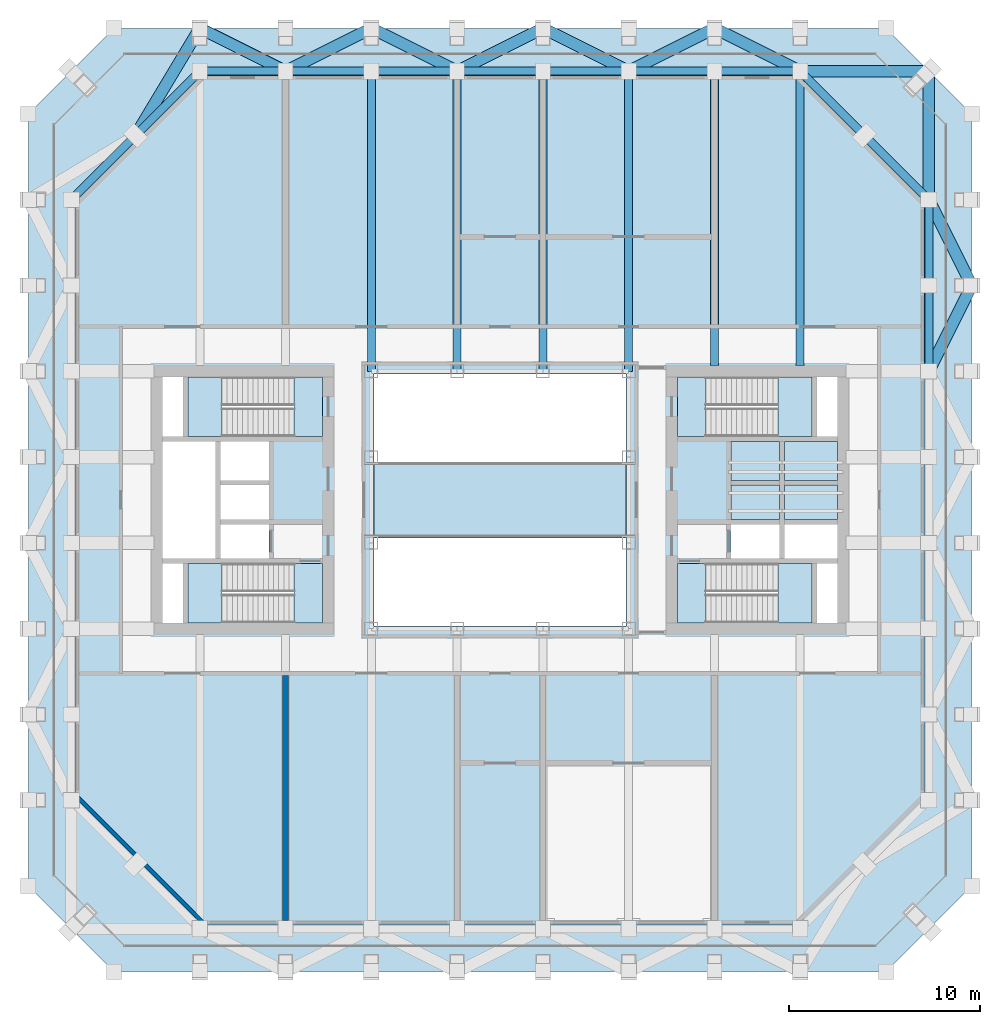
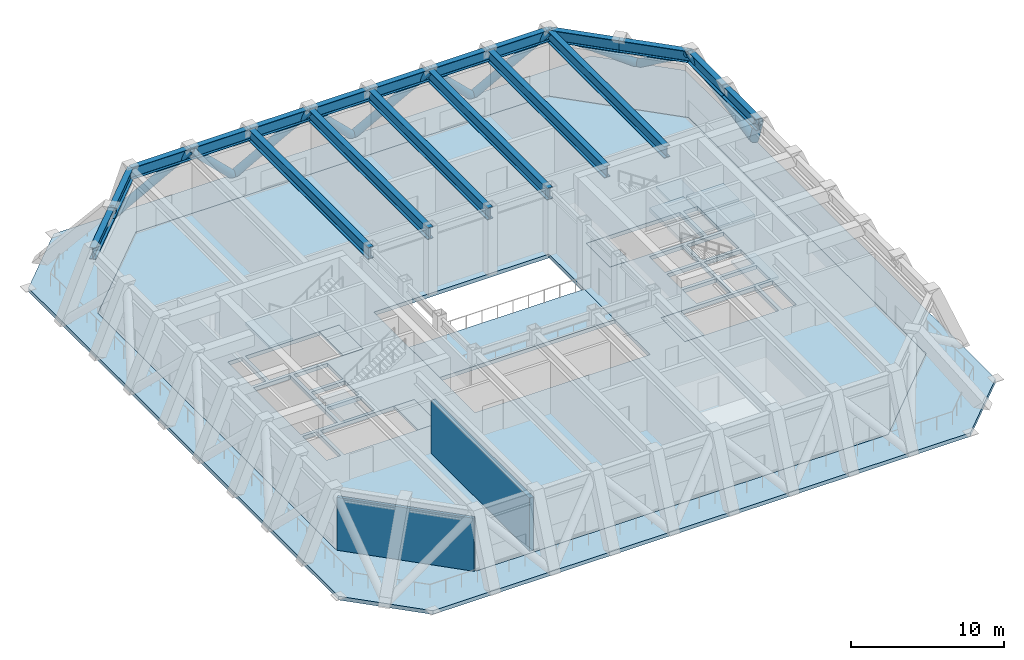
# One storey, part 2 of 9: 19 beams, 15 slabs, 12 members, 2 walls, 4 elements without a shape of their own.
"""IFC4 building model written with IfcOpenShell, lengths in metres."""

import ifcopenshell
import ifcopenshell.guid

model = None  # the IFC model being written
_history = None  # IfcOwnerHistory: only IFC2X3 demands one
_inside = {}  # id of a spatial element -> (the spatial element, [elements in it])
_under = {}  # id of a project, library or spatial element -> (it, [spatial elements below it])
_declared = {}  # id of a project -> (the project, [libraries it declares])
_typed = {}  # id of a type object -> (the type object, [elements of that type])
_made_of = {}  # id of a material, layer set ... -> (it, [elements and type objects made of it])


def new_model(schema):
    """Start an empty IFC model of exactly this schema.

    Asked for "IFC4X3", IfcOpenShell would pick the latest addendum, in which some entities
    have other attributes; the version numbers below select the first issue.
    IFC2X3 requires an IfcOwnerHistory on every rooted entity: one is made here for all.
    """
    global model, _history
    if schema == "IFC4X3":
        model = ifcopenshell.file(schema_version=(4, 3, 0, 0))
    else:
        model = ifcopenshell.file(schema=schema)
    _inside.clear()
    _under.clear()
    _declared.clear()
    _typed.clear()
    _made_of.clear()
    _history = None
    if model.schema == "IFC2X3":
        org = make("IfcOrganization", Name="unknown")
        user = make(
            "IfcPersonAndOrganization",
            ThePerson=make("IfcPerson", FamilyName="unknown"),
            TheOrganization=org,
        )
        app = make(
            "IfcApplication",
            ApplicationDeveloper=org,
            Version="unknown",
            ApplicationFullName="unknown",
            ApplicationIdentifier="unknown",
        )
        _history = make(
            "IfcOwnerHistory",
            OwningUser=user,
            OwningApplication=app,
            ChangeAction="ADDED",
            CreationDate=0,
        )
    return model


def make(cls, **values):
    """One entity of the class cls with the attributes given. An attribute that is None is left unset."""
    return model.create_entity(
        cls, **{name: value for name, value in values.items() if value is not None}
    )


def rooted(cls, **values):
    """An entity with a GlobalId (a new one), such as an element, a storey or a relation."""
    return make(cls, GlobalId=ifcopenshell.guid.new(), OwnerHistory=_history, **values)


def si_unit(unit_type, name, prefix=None):
    """IfcSIUnit, for example si_unit("LENGTHUNIT", "METRE", prefix="MILLI")."""
    return make("IfcSIUnit", UnitType=unit_type, Prefix=prefix, Name=name)


def assignment(units):
    """IfcUnitAssignment: the units of a project."""
    return None if units is None else make("IfcUnitAssignment", Units=units)


def point(xyz):
    """IfcCartesianPoint."""
    return None if xyz is None else make("IfcCartesianPoint", Coordinates=xyz)


def direction(xyz):
    """IfcDirection."""
    return None if xyz is None else make("IfcDirection", DirectionRatios=xyz)


def frame(location, z_axis=None, x_axis=None):
    """IfcAxis2Placement3D, a coordinate frame: its origin and axes. An axis left out is left unset."""
    return make(
        "IfcAxis2Placement3D",
        Location=point(location),
        Axis=direction(z_axis),
        RefDirection=direction(x_axis),
    )


def frame_2d(location, x_axis=None):
    """IfcAxis2Placement2D, a coordinate frame in the plane: its origin and x axis."""
    return make(
        "IfcAxis2Placement2D", Location=point(location), RefDirection=direction(x_axis)
    )


def origin():
    """The frame at (0, 0, 0) with its axes left unset."""
    return frame((0.0, 0.0, 0.0))


def origin_2d():
    """The frame at (0, 0) in the plane with its x axis left unset."""
    return frame_2d((0.0, 0.0))


def place(relative_to, where):
    """IfcLocalPlacement: puts the frame where relative to a parent placement (None: the world)."""
    return make(
        "IfcLocalPlacement", PlacementRelTo=relative_to, RelativePlacement=where
    )


def context(
    kind, dimensions, precision=None, world=None, true_north=None, identifier=None
):
    """IfcGeometricRepresentationContext, for example the 3D "Model" context."""
    return make(
        "IfcGeometricRepresentationContext",
        ContextIdentifier=identifier,
        ContextType=kind,
        CoordinateSpaceDimension=dimensions,
        Precision=precision,
        WorldCoordinateSystem=world,
        TrueNorth=true_north,
    )


def subcontext(parent, identifier, kind, view, scale=None):
    """IfcGeometricRepresentationSubContext, for example "Body" below "Model"."""
    return make(
        "IfcGeometricRepresentationSubContext",
        ContextIdentifier=identifier,
        ContextType=kind,
        ParentContext=parent,
        TargetScale=scale,
        TargetView=view,
    )


def project(units=None, contexts=None):
    """IfcProject with its units and contexts."""
    return rooted(
        "IfcProject",
        Name="project",
        RepresentationContexts=contexts,
        UnitsInContext=assignment(units),
    )


def spatial(cls, under=None, at=None, **own):
    """A site, building, storey or space (cls), placed at a placement, below another one or the project."""
    s = rooted(cls, ObjectPlacement=at, **own)
    if under is not None:
        _under.setdefault(under.id(), (under, []))[1].append(s)
    return s


def polyline(points):
    """IfcPolyline through the points."""
    return make("IfcPolyline", Points=[point(p) for p in points])


def profile(cls, at=None, kind="AREA", **sizes):
    """A parametric profile (cls). Its sizes go by their IFC names, for example OverallWidth=200.0."""
    return make(cls, ProfileType=kind, Position=at, **sizes)


def rectangle(**sizes):
    """IfcRectangleProfileDef."""
    return profile("IfcRectangleProfileDef", **sizes)


def hollow_circle(**sizes):
    """IfcCircleHollowProfileDef."""
    return profile("IfcCircleHollowProfileDef", **sizes)


def i_section(**sizes):
    """IfcIShapeProfileDef."""
    return profile("IfcIShapeProfileDef", **sizes)


def outline(outer, holes=None, kind="AREA"):
    """IfcArbitraryClosedProfileDef: a profile drawn as a closed curve; with holes, ...WithVoids."""
    if holes is None:
        return make("IfcArbitraryClosedProfileDef", ProfileType=kind, OuterCurve=outer)
    return make(
        "IfcArbitraryProfileDefWithVoids",
        ProfileType=kind,
        OuterCurve=outer,
        InnerCurves=holes,
    )


def extrude(swept, where, along, depth):
    """IfcExtrudedAreaSolid: the profile swept, set in the frame where, extruded along a direction by depth."""
    return make(
        "IfcExtrudedAreaSolid",
        SweptArea=swept,
        Position=where,
        ExtrudedDirection=direction(along),
        Depth=depth,
    )


def shape(context_of_items, identifier, shape_type, items):
    """IfcShapeRepresentation: the items that make up one representation, for example the "Body"."""
    return make(
        "IfcShapeRepresentation",
        ContextOfItems=context_of_items,
        RepresentationIdentifier=identifier,
        RepresentationType=shape_type,
        Items=items,
    )


def material(Name=None, Category=None):
    """IfcMaterial."""
    return make("IfcMaterial", Name=Name, Category=Category)


def layer(
    of_material, thickness, ventilated=None, Name=None, Category=None, Priority=None
):
    """IfcMaterialLayer: one layer of a wall or slab, of a material (None: an air gap)."""
    return make(
        "IfcMaterialLayer",
        Material=of_material,
        LayerThickness=thickness,
        IsVentilated=ventilated,
        Name=Name,
        Category=Category,
        Priority=Priority,
    )


def layer_set(layers, Name=None):
    """IfcMaterialLayerSet."""
    return make("IfcMaterialLayerSet", MaterialLayers=layers, LayerSetName=Name)


def material_profile(
    of_material, cross_section, Name=None, Category=None, Priority=None
):
    """IfcMaterialProfile: a cross section and its material."""
    return make(
        "IfcMaterialProfile",
        Name=Name,
        Material=of_material,
        Profile=cross_section,
        Priority=Priority,
        Category=Category,
    )


def profile_set(profiles, Name=None, composite=None):
    """IfcMaterialProfileSet."""
    return make(
        "IfcMaterialProfileSet",
        Name=Name,
        MaterialProfiles=profiles,
        CompositeProfile=composite,
    )


def made_of(thing, what):
    """Note that an element or type object is made of a material, layer set ...; save() writes the relation."""
    if what is not None:
        _made_of.setdefault(what.id(), (what, []))[1].append(thing)
    return thing


def type_object(cls, material=None, **own):
    """A type object (cls), such as IfcWallType, which elements share."""
    return made_of(rooted(cls, **own), material)


def element(
    cls,
    number,
    at=None,
    inside=None,
    cuts=None,
    type_object=None,
    material=None,
    context=None,
    identifier="Body",
    shape_type=None,
    held_by="IfcProductDefinitionShape",
    body=None,
    shapes=None,
    **own,
):
    """One element of the class cls, such as IfcWall. Its Tag is "e" and its number.

    at: its placement. inside: the storey or other place that contains it. cuts: it is an
    opening in that element (IfcRelVoidsElement). A single representation is given by context,
    identifier, shape_type and body (its items); several are given by shapes. held_by: the class
    of the entity that holds the representations. save() writes the other relations.
    """
    e = rooted(cls, Tag="e%d" % number, ObjectPlacement=at, **own)
    if body is not None:
        shapes = [shape(context, identifier, shape_type, body)]
    if shapes is not None:
        e.Representation = make(held_by, Representations=shapes)
    if inside is not None:
        _inside.setdefault(inside.id(), (inside, []))[1].append(e)
    if cuts is not None:
        rooted(
            "IfcRelVoidsElement", RelatingBuildingElement=cuts, RelatedOpeningElement=e
        )
    if type_object is not None:
        _typed.setdefault(type_object.id(), (type_object, []))[1].append(e)
    return made_of(e, material)


def aggregate(whole, parts):
    """IfcRelAggregates: a whole, such as a stair, and the parts it consists of."""
    return rooted("IfcRelAggregates", RelatingObject=whole, RelatedObjects=parts)


def save(model, path):
    """Write the relations noted so far, then the file.

    IfcRelAggregates (storeys below a building ...), IfcRelContainedInSpatialStructure (elements
    in a storey), IfcRelDefinesByType, IfcRelAssociatesMaterial and IfcRelDeclares: one each for
    every whole, place, type object, material and project.
    """
    for whole, parts in _under.values():
        aggregate(whole, parts)
    for where, things in _inside.values():
        rooted(
            "IfcRelContainedInSpatialStructure",
            RelatedElements=things,
            RelatingStructure=where,
        )
    for kind, things in _typed.values():
        rooted("IfcRelDefinesByType", RelatedObjects=things, RelatingType=kind)
    for what, things in _made_of.values():
        rooted("IfcRelAssociatesMaterial", RelatedObjects=things, RelatingMaterial=what)
    for by, libraries in _declared.values():
        rooted("IfcRelDeclares", RelatingContext=by, RelatedDefinitions=libraries)
    model.write(path)


model = new_model("IFC4")

# Units and contexts
model_context = context("Model", 3, precision=1e-05, world=origin(), true_north=direction((0.0, 1.0)))
body_context = subcontext(model_context, "Body", "Model", "MODEL_VIEW")
ifc_project = project(units=[si_unit("LENGTHUNIT", "METRE"), si_unit("AREAUNIT", "SQUARE_METRE"), si_unit("VOLUMEUNIT", "CUBIC_METRE"), si_unit("PLANEANGLEUNIT", "RADIAN"), si_unit("MASSUNIT", "GRAM", prefix="KILO")], contexts=[model_context])

# Site, building, storey
site_placement = place(None, origin())
site = spatial("IfcSite", under=ifc_project, at=site_placement, CompositionType="ELEMENT")
building_placement = place(site_placement, origin())
building = spatial("IfcBuilding", under=site, at=building_placement, Name="Msasa Ring Tower", CompositionType="ELEMENT")
storey_placement = place(building_placement, frame((0.0, 0.0, 107.0)))
storey = spatial("IfcBuildingStorey", under=building, at=storey_placement, Name="L28", CompositionType="ELEMENT", Elevation=107.0)

# Members
ifc_material_1 = material(Name="Steel S355", Category="steel")
ifc_material_profile_1 = material_profile(ifc_material_1, hollow_circle(Radius=0.304931640625, WallThickness=0.050048828125, at=origin_2d()), Name="CHS 610x50")
ifc_profile_set_1 = profile_set([ifc_material_profile_1], Name="Steel S355")
member_type = type_object("IfcMemberType", Name="BR1 CHS 610x50", PredefinedType="BRACE", material=ifc_profile_set_1)
for number, where, z_axis, x_axis, name in (
    (1, (24.75, 11.25, 0.0), (-0.31912262164, -0.638245243281, 0.70057388032), (0.894427191, -0.4472135955, 0.0), "Belt brace E+6.75 L28"),
    (2, (24.75, 11.25, 0.0), (-0.31912262164, 0.638245243281, 0.70057388032), (-0.894427191, -0.4472135955, 0.0), "Belt brace E+11.25 L28"),
):
    element("IfcMember", number, at=place(storey_placement, frame(where, z_axis=z_axis, x_axis=x_axis)), inside=storey, type_object=member_type, Name=name, PredefinedType="BRACE", context=body_context, shape_type="SweptSolid", body=[
        extrude(hollow_circle(Radius=0.304931640625, WallThickness=0.050048828125, at=origin_2d()), origin(), (0.0, 0.0, 1.0), 7.050537109375),
    ])
for number, where, z_axis, x_axis, name in (
    (3, (22.5, 22.5, 0.0), (0.0, -0.807005897484, 0.590543378107), (1.0, 0.0, 0.0), "Belt brace E+15.75 L28"),
    (4, (22.5, 22.5, 0.0), (-0.807005897484, 0.0, 0.590543378107), (0.0, -1.0, 0.0), "Belt brace NE L28"),
):
    element("IfcMember", number, at=place(storey_placement, frame(where, z_axis=z_axis, x_axis=x_axis)), inside=storey, type_object=member_type, Name=name, PredefinedType="BRACE", context=body_context, shape_type="SweptSolid", body=[
        extrude(hollow_circle(Radius=0.304931640625, WallThickness=0.050048828125, at=origin_2d()), origin(), (0.0, 0.0, 1.0), 8.3642578125),
    ])
for number, where, z_axis, x_axis, name in (
    (5, (11.25, 24.75, 0.0), (0.638245243281, -0.31912262164, 0.70057388032), (0.4472135955, 0.894427191, 0.0), "Belt brace N+15.75 L28"),
    (6, (11.25, 24.75, 0.0), (-0.638245243281, -0.31912262164, 0.70057388032), (0.4472135955, -0.894427191, 0.0), "Belt brace N+11.25 L28"),
    (7, (2.25, 24.75, 0.0), (0.638245243281, -0.31912262164, 0.70057388032), (0.4472135955, 0.894427191, 0.0), "Belt brace N+6.75 L28"),
    (8, (2.25, 24.75, 0.0), (-0.638245243281, -0.31912262164, 0.70057388032), (0.4472135955, -0.894427191, 0.0), "Belt brace N+2.25 L28"),
    (9, (-6.75, 24.75, 0.0), (0.638245243281, -0.31912262164, 0.70057388032), (0.4472135955, 0.894427191, 0.0), "Belt brace N-2.25 L28"),
    (10, (-6.75, 24.75, 0.0), (-0.638245243281, -0.31912262164, 0.70057388032), (0.4472135955, -0.894427191, 0.0), "Belt brace N-6.75 L28"),
    (11, (-15.75, 24.75, 0.0), (0.638245243281, -0.31912262164, 0.70057388032), (0.4472135955, 0.894427191, 0.0), "Belt brace N-11.25 L28"),
):
    element("IfcMember", number, at=place(storey_placement, frame(where, z_axis=z_axis, x_axis=x_axis)), inside=storey, type_object=member_type, Name=name, PredefinedType="BRACE", context=body_context, shape_type="SweptSolid", body=[
        extrude(hollow_circle(Radius=0.304931640625, WallThickness=0.050048828125, at=origin_2d()), origin(), (0.0, 0.0, 1.0), 7.050537109375),
    ])
member_placement = place(storey_placement, frame((-15.75, 24.75, 0.0), z_axis=(-0.411006771984, -0.685011286641, 0.601525536081), x_axis=(0.857492925713, -0.514495755428, 0.0)))
element("IfcMember", 12, at=member_placement, inside=storey, type_object=member_type, Name="Belt brace N-15.75 L28", PredefinedType="BRACE", context=body_context, shape_type="SweptSolid", body=[
    extrude(hollow_circle(Radius=0.304931640625, WallThickness=0.050048828125, at=origin_2d()), origin(), (0.0, 0.0, 1.0), 8.21142578125),
])

# Beams
ifc_material_2 = material(Name="Steel S355", Category="steel")
ifc_material_profile_2 = material_profile(ifc_material_2, i_section(OverallWidth=0.42041015625, OverallDepth=0.9208984375, WebThickness=0.021484375, FlangeThickness=0.03662109375, FilletRadius=0.024169921875, at=origin_2d()), Name="UB 914x419x388")
ifc_profile_set_2 = profile_set([ifc_material_profile_2], Name="Steel S355")
beam_type_1 = type_object("IfcBeamType", Name="FB2 UB 914x419x388", PredefinedType="BEAM", material=ifc_profile_set_2)
for number, where, z_axis, x_axis, name in (
    (13, (-6.75, 22.5, 4.689453125), (0.0, -1.0, 0.0), (1.0, 0.0, 0.0), "Floor beam N-6.75 under L29"),
    (14, (-2.25, 22.5, 4.689453125), (0.0, -1.0, 0.0), (1.0, 0.0, 0.0), "Floor beam N-2.25 under L29"),
    (15, (2.25, 22.5, 4.689453125), (0.0, -1.0, 0.0), (1.0, 0.0, 0.0), "Floor beam N+2.25 under L29"),
    (16, (6.75, 22.5, 4.689453125), (0.0, -1.0, 0.0), (1.0, 0.0, 0.0), "Floor beam N+6.75 under L29"),
):
    element("IfcBeam", number, at=place(storey_placement, frame(where, z_axis=z_axis, x_axis=x_axis)), inside=storey, type_object=beam_type_1, Name=name, PredefinedType="BEAM", context=body_context, shape_type="SweptSolid", body=[
        extrude(i_section(OverallWidth=0.42041015625, OverallDepth=0.9208984375, WebThickness=0.021484375, FlangeThickness=0.03662109375, FilletRadius=0.024169921875, at=origin_2d()), origin(), (0.0, 0.0, 1.0), 15.75),
    ])
for number, where, z_axis, x_axis, name in (
    (17, (11.25, 22.5, 4.689453125), (0.0, -1.0, 0.0), (1.0, 0.0, 0.0), "Floor beam N+11.25 under L29"),
    (18, (15.75, 22.5, 4.689453125), (0.0, -1.0, 0.0), (1.0, 0.0, 0.0), "Floor beam N+15.75 under L29"),
):
    element("IfcBeam", number, at=place(storey_placement, frame(where, z_axis=z_axis, x_axis=x_axis)), inside=storey, type_object=beam_type_1, Name=name, PredefinedType="BEAM", context=body_context, shape_type="SweptSolid", body=[
        extrude(i_section(OverallWidth=0.42041015625, OverallDepth=0.9208984375, WebThickness=0.021484375, FlangeThickness=0.03662109375, FilletRadius=0.024169921875, at=origin_2d()), origin(), (0.0, 0.0, 1.0), 15.449951171875),
    ])
ifc_material_3 = material(Name="Steel S355", Category="steel")
ifc_material_profile_3 = material_profile(ifc_material_3, i_section(OverallWidth=0.42041015625, OverallDepth=0.9208984375, WebThickness=0.021484375, FlangeThickness=0.03662109375, FilletRadius=0.024169921875, at=origin_2d()), Name="UB 914x419x388")
ifc_profile_set_3 = profile_set([ifc_material_profile_3], Name="Steel S355")
beam_type_2 = type_object("IfcBeamType", Name="SB1 UB 914x419x388", PredefinedType="SPANDREL", material=ifc_profile_set_3)
for number, where, z_axis, x_axis, name in (
    (19, (22.5, 6.75, 4.689453125), (0.0, 1.0, 0.0), (-1.0, 0.0, 0.0), "Spandrel E+6.75 to E+11.25 under L29"),
    (20, (22.5, 11.25, 4.689453125), (0.0, 1.0, 0.0), (-1.0, 0.0, 0.0), "Spandrel E+11.25 to E+15.75 under L29"),
):
    element("IfcBeam", number, at=place(storey_placement, frame(where, z_axis=z_axis, x_axis=x_axis)), inside=storey, type_object=beam_type_2, Name=name, PredefinedType="SPANDREL", context=body_context, shape_type="SweptSolid", body=[
        extrude(i_section(OverallWidth=0.42041015625, OverallDepth=0.9208984375, WebThickness=0.021484375, FlangeThickness=0.03662109375, FilletRadius=0.024169921875, at=origin_2d()), origin(), (0.0, 0.0, 1.0), 4.5),
    ])
for number, where, z_axis, x_axis, name in (
    (21, (22.5, 15.75, 4.689453125), (-0.707106781187, 0.707106781187, 0.0), (-0.707106781187, -0.707106781187, 0.0), "Spandrel E+15.75 to NE under L29"),
    (22, (19.125, 19.125, 4.689453125), (-0.707106781187, 0.707106781187, 0.0), (-0.707106781187, -0.707106781187, 0.0), "Spandrel NE to N+15.75 under L29"),
):
    element("IfcBeam", number, at=place(storey_placement, frame(where, z_axis=z_axis, x_axis=x_axis)), inside=storey, type_object=beam_type_2, Name=name, PredefinedType="SPANDREL", context=body_context, shape_type="SweptSolid", body=[
        extrude(i_section(OverallWidth=0.42041015625, OverallDepth=0.9208984375, WebThickness=0.021484375, FlangeThickness=0.03662109375, FilletRadius=0.024169921875, at=origin_2d()), origin(), (0.0, 0.0, 1.0), 4.77294921875),
    ])
for number, where, z_axis, x_axis, name in (
    (23, (15.75, 22.5, 4.689453125), (-1.0, 0.0, 0.0), (0.0, -1.0, 0.0), "Spandrel N+15.75 to N+11.25 under L29"),
    (24, (11.25, 22.5, 4.689453125), (-1.0, 0.0, 0.0), (0.0, -1.0, 0.0), "Spandrel N+11.25 to N+6.75 under L29"),
    (25, (6.75, 22.5, 4.689453125), (-1.0, 0.0, 0.0), (0.0, -1.0, 0.0), "Spandrel N+6.75 to N+2.25 under L29"),
    (26, (2.25, 22.5, 4.689453125), (-1.0, 0.0, 0.0), (0.0, -1.0, 0.0), "Spandrel N+2.25 to N-2.25 under L29"),
    (27, (-2.25, 22.5, 4.689453125), (-1.0, 0.0, 0.0), (0.0, -1.0, 0.0), "Spandrel N-2.25 to N-6.75 under L29"),
    (28, (-6.75, 22.5, 4.689453125), (-1.0, 0.0, 0.0), (0.0, -1.0, 0.0), "Spandrel N-6.75 to N-11.25 under L29"),
    (29, (-11.25, 22.5, 4.689453125), (-1.0, 0.0, 0.0), (0.0, -1.0, 0.0), "Spandrel N-11.25 to N-15.75 under L29"),
):
    element("IfcBeam", number, at=place(storey_placement, frame(where, z_axis=z_axis, x_axis=x_axis)), inside=storey, type_object=beam_type_2, Name=name, PredefinedType="SPANDREL", context=body_context, shape_type="SweptSolid", body=[
        extrude(i_section(OverallWidth=0.42041015625, OverallDepth=0.9208984375, WebThickness=0.021484375, FlangeThickness=0.03662109375, FilletRadius=0.024169921875, at=origin_2d()), origin(), (0.0, 0.0, 1.0), 4.5),
    ])
for number, where, z_axis, x_axis, name in (
    (30, (-15.75, 22.5, 4.689453125), (-0.707106781187, -0.707106781187, 0.0), (0.707106781187, -0.707106781187, 0.0), "Spandrel N-15.75 to NW under L29"),
    (31, (-19.125, 19.125, 4.689453125), (-0.707106781187, -0.707106781187, 0.0), (0.707106781187, -0.707106781187, 0.0), "Spandrel NW to W+15.75 under L29"),
):
    element("IfcBeam", number, at=place(storey_placement, frame(where, z_axis=z_axis, x_axis=x_axis)), inside=storey, type_object=beam_type_2, Name=name, PredefinedType="SPANDREL", context=body_context, shape_type="SweptSolid", body=[
        extrude(i_section(OverallWidth=0.42041015625, OverallDepth=0.9208984375, WebThickness=0.021484375, FlangeThickness=0.03662109375, FilletRadius=0.024169921875, at=origin_2d()), origin(), (0.0, 0.0, 1.0), 4.77294921875),
    ])

# Slab
ifc_material_4 = material(Name="Concrete C40/50", Category="concrete")
ifc_layer_1 = layer(ifc_material_4, 0.300048828125)
ifc_layer_set_1 = layer_set([ifc_layer_1], Name="BS1 WELL BRIDGE 300")
slab_type_1 = type_object("IfcSlabType", Name="BS1 WELL BRIDGE 300", PredefinedType="FLOOR", material=ifc_layer_set_1)
slab_1_placement = place(storey_placement, frame((0.0, 0.0, -0.300048828125)))
element("IfcSlab", 32, at=slab_1_placement, inside=storey, type_object=slab_type_1, Name="Well bridge L28", PredefinedType="FLOOR", context=body_context, shape_type="SweptSolid", body=[
    extrude(outline(polyline([(-6.60009765625, -2.0), (6.60009765625, -2.0), (6.60009765625, 2.0), (-6.60009765625, 2.0), (-6.60009765625, -2.0)])), origin(), (0.0, 0.0, 1.0), 0.300048828125),
])

# Stair, slabs
ifc_material_5 = material(Name="Concrete C40/50", Category="concrete")
stair_type = type_object("IfcStairType", Name="STC CORE STAIR 30 RISERS 180", PredefinedType="HALF_TURN_STAIR", material=ifc_material_5)
stair_1_placement = place(storey_placement, origin())
stair_1 = element("IfcStair", 33, at=stair_1_placement, inside=storey, type_object=stair_type, Name="Core stair SEA L28", PredefinedType="HALF_TURN_STAIR")
ifc_material_6 = material(Name="Concrete C40/50", Category="concrete")
ifc_layer_2 = layer(ifc_material_6, 0.199951171875)
ifc_layer_set_2 = layer_set([ifc_layer_2], Name="LD1 CORE STAIR LANDING 200")
slab_type_2 = type_object("IfcSlabType", Name="LD1 CORE STAIR LANDING 200", PredefinedType="LANDING", material=ifc_layer_set_2)
slab_2_placement = place(storey_placement, frame((0.0, 0.0, -0.199951171875)))
slab_2 = element("IfcSlab", 34, at=slab_2_placement, type_object=slab_type_2, Name="SEA landing 1", PredefinedType="LANDING", context=body_context, shape_type="SweptSolid", body=[
    extrude(outline(polyline([(9.300048828125, -6.449951171875), (10.800048828125, -6.449951171875), (10.800048828125, -3.324951171875), (9.300048828125, -3.324951171875), (9.300048828125, -6.449951171875)])), origin(), (0.0, 0.0, 1.0), 0.199951171875),
])
slab_3_placement = place(storey_placement, frame((0.0, 0.0, 2.5)))
slab_3 = element("IfcSlab", 35, at=slab_3_placement, type_object=slab_type_2, Name="SEA landing 2", PredefinedType="LANDING", context=body_context, shape_type="SweptSolid", body=[
    extrude(outline(polyline([(14.580078125, -6.449951171875), (16.375, -6.449951171875), (16.375, -3.324951171875), (14.580078125, -3.324951171875), (14.580078125, -6.449951171875)])), origin(), (0.0, 0.0, 1.0), 0.199951171875),
])
aggregate(stair_1, [slab_2, slab_3])

stair_2_placement = place(storey_placement, origin())
stair_2 = element("IfcStair", 36, at=stair_2_placement, inside=storey, type_object=stair_type, Name="Core stair SEB L28", PredefinedType="HALF_TURN_STAIR")
slab_4_placement = place(storey_placement, frame((0.0, 0.0, -0.199951171875)))
slab_4 = element("IfcSlab", 37, at=slab_4_placement, type_object=slab_type_2, Name="SEB landing 1", PredefinedType="LANDING", context=body_context, shape_type="SweptSolid", body=[
    extrude(outline(polyline([(9.300048828125, 3.324951171875), (10.800048828125, 3.324951171875), (10.800048828125, 6.449951171875), (9.300048828125, 6.449951171875), (9.300048828125, 3.324951171875)])), origin(), (0.0, 0.0, 1.0), 0.199951171875),
])
slab_5_placement = place(storey_placement, frame((0.0, 0.0, 2.5)))
slab_5 = element("IfcSlab", 38, at=slab_5_placement, type_object=slab_type_2, Name="SEB landing 2", PredefinedType="LANDING", context=body_context, shape_type="SweptSolid", body=[
    extrude(outline(polyline([(14.580078125, 3.324951171875), (16.375, 3.324951171875), (16.375, 6.449951171875), (14.580078125, 6.449951171875), (14.580078125, 3.324951171875)])), origin(), (0.0, 0.0, 1.0), 0.199951171875),
])
aggregate(stair_2, [slab_4, slab_5])

stair_3_placement = place(storey_placement, origin())
stair_3 = element("IfcStair", 39, at=stair_3_placement, inside=storey, type_object=stair_type, Name="Core stair SWA L28", PredefinedType="HALF_TURN_STAIR")
slab_6_placement = place(storey_placement, frame((0.0, 0.0, -0.199951171875)))
slab_6 = element("IfcSlab", 40, at=slab_6_placement, type_object=slab_type_2, Name="SWA landing 1", PredefinedType="LANDING", context=body_context, shape_type="SweptSolid", body=[
    extrude(outline(polyline([(-10.800048828125, -6.449951171875), (-9.300048828125, -6.449951171875), (-9.300048828125, -3.324951171875), (-10.800048828125, -3.324951171875), (-10.800048828125, -6.449951171875)])), origin(), (0.0, 0.0, 1.0), 0.199951171875),
])
slab_7_placement = place(storey_placement, frame((0.0, 0.0, 2.5)))
slab_7 = element("IfcSlab", 41, at=slab_7_placement, type_object=slab_type_2, Name="SWA landing 2", PredefinedType="LANDING", context=body_context, shape_type="SweptSolid", body=[
    extrude(outline(polyline([(-16.375, -6.449951171875), (-14.580078125, -6.449951171875), (-14.580078125, -3.324951171875), (-16.375, -3.324951171875), (-16.375, -6.449951171875)])), origin(), (0.0, 0.0, 1.0), 0.199951171875),
])
aggregate(stair_3, [slab_6, slab_7])

stair_4_placement = place(storey_placement, origin())
stair_4 = element("IfcStair", 42, at=stair_4_placement, inside=storey, type_object=stair_type, Name="Core stair SWB L28", PredefinedType="HALF_TURN_STAIR")
slab_8_placement = place(storey_placement, frame((0.0, 0.0, -0.199951171875)))
slab_8 = element("IfcSlab", 43, at=slab_8_placement, type_object=slab_type_2, Name="SWB landing 1", PredefinedType="LANDING", context=body_context, shape_type="SweptSolid", body=[
    extrude(outline(polyline([(-10.800048828125, 3.324951171875), (-9.300048828125, 3.324951171875), (-9.300048828125, 6.449951171875), (-10.800048828125, 6.449951171875), (-10.800048828125, 3.324951171875)])), origin(), (0.0, 0.0, 1.0), 0.199951171875),
])
slab_9_placement = place(storey_placement, frame((0.0, 0.0, 2.5)))
slab_9 = element("IfcSlab", 44, at=slab_9_placement, type_object=slab_type_2, Name="SWB landing 2", PredefinedType="LANDING", context=body_context, shape_type="SweptSolid", body=[
    extrude(outline(polyline([(-16.375, 3.324951171875), (-14.580078125, 3.324951171875), (-14.580078125, 6.449951171875), (-16.375, 6.449951171875), (-16.375, 3.324951171875)])), origin(), (0.0, 0.0, 1.0), 0.199951171875),
])
aggregate(stair_4, [slab_8, slab_9])

# Slabs
ifc_material_7 = material(Name="Concrete C40/50", Category="concrete")
ifc_layer_3 = layer(ifc_material_7, 0.300048828125)
ifc_layer_set_3 = layer_set([ifc_layer_3], Name="R3 LIFT SHAFT ROOF 300")
slab_type_3 = type_object("IfcSlabType", Name="R3 LIFT SHAFT ROOF 300", PredefinedType="ROOF", material=ifc_layer_set_3)
slab_10_placement = place(storey_placement, frame((0.0, 0.0, 3.60009765625)))
element("IfcSlab", 45, at=slab_10_placement, inside=storey, type_object=slab_type_3, Name="Lift shaft roof slab east lift1 L28", PredefinedType="ROOF", context=body_context, shape_type="SweptSolid", body=[
    extrude(outline(polyline([(12.125, -1.02490234375), (14.675048828125, -1.02490234375), (14.675048828125, 0.77490234375), (12.125, 0.77490234375), (12.125, -1.02490234375)])), origin(), (0.0, 0.0, 1.0), 0.2998046875),
])
slab_11_placement = place(storey_placement, frame((0.0, 0.0, 3.60009765625)))
element("IfcSlab", 46, at=slab_11_placement, inside=storey, type_object=slab_type_3, Name="Lift shaft roof slab east lift2 L28", PredefinedType="ROOF", context=body_context, shape_type="SweptSolid", body=[
    extrude(outline(polyline([(12.125, 1.02490234375), (14.675048828125, 1.02490234375), (14.675048828125, 3.074951171875), (12.125, 3.074951171875), (12.125, 1.02490234375)])), origin(), (0.0, 0.0, 1.0), 0.2998046875),
])
ifc_material_8 = material(Name="Concrete C40/50", Category="concrete")
ifc_layer_4 = layer(ifc_material_8, 0.300048828125)
ifc_layer_set_4 = layer_set([ifc_layer_4], Name="S11 LIFT PIT FLOOR 300")
slab_type_4 = type_object("IfcSlabType", Name="S11 LIFT PIT FLOOR 300", PredefinedType="FLOOR", material=ifc_layer_set_4)
slab_12_placement = place(storey_placement, frame((0.0, 0.0, 3.60009765625)))
element("IfcSlab", 47, at=slab_12_placement, inside=storey, type_object=slab_type_4, Name="Lift pit floor east hlift1 L28", PredefinedType="FLOOR", context=body_context, shape_type="SweptSolid", body=[
    extrude(outline(polyline([(14.925048828125, -1.02490234375), (17.699951171875, -1.02490234375), (17.699951171875, 0.77490234375), (14.925048828125, 0.77490234375), (14.925048828125, -1.02490234375)])), origin(), (0.0, 0.0, 1.0), 0.2998046875),
])
slab_13_placement = place(storey_placement, frame((0.0, 0.0, 3.60009765625)))
element("IfcSlab", 48, at=slab_13_placement, inside=storey, type_object=slab_type_4, Name="Lift pit floor east hlift2 L28", PredefinedType="FLOOR", context=body_context, shape_type="SweptSolid", body=[
    extrude(outline(polyline([(14.925048828125, 1.02490234375), (17.699951171875, 1.02490234375), (17.699951171875, 3.074951171875), (14.925048828125, 3.074951171875), (14.925048828125, 1.02490234375)])), origin(), (0.0, 0.0, 1.0), 0.2998046875),
])
ifc_material_9 = material(Name="Concrete C40/50", Category="concrete")
ifc_layer_5 = layer(ifc_material_9, 0.300048828125)
ifc_layer_set_5 = layer_set([ifc_layer_5], Name="S5 PLANT FLOOR 300")
slab_type_5 = type_object("IfcSlabType", Name="S5 PLANT FLOOR 300", PredefinedType="FLOOR", material=ifc_layer_set_5)
slab_14_placement = place(storey_placement, frame((0.0, 0.0, -0.300048828125)))
element("IfcSlab", 49, at=slab_14_placement, inside=storey, type_object=slab_type_5, Name="Plant floor slab L28", PredefinedType="FLOOR", context=body_context, shape_type="SweptSolid", body=[
    extrude(outline(polyline([(-15.5, -22.25), (15.5, -22.25), (22.25, -15.5), (22.25, 15.5), (15.5, 22.25), (-15.5, 22.25), (-22.25, 15.5), (-22.25, -15.5), (-15.5, -22.25)]), holes=[polyline([(-6.60009765625, -6.60009765625), (6.60009765625, -6.60009765625), (6.60009765625, 6.60009765625), (-6.60009765625, 6.60009765625), (-6.60009765625, -6.60009765625)]), polyline([(9.300048828125, -6.449951171875), (16.375, -6.449951171875), (16.375, -3.324951171875), (9.300048828125, -3.324951171875), (9.300048828125, -6.449951171875)]), polyline([(9.300048828125, 3.324951171875), (16.375, 3.324951171875), (16.375, 6.449951171875), (9.300048828125, 6.449951171875), (9.300048828125, 3.324951171875)]), polyline([(12.125, -3.074951171875), (14.675048828125, -3.074951171875), (14.675048828125, -1.27490234375), (12.125, -1.27490234375), (12.125, -3.074951171875)]), polyline([(12.125, -1.02490234375), (14.675048828125, -1.02490234375), (14.675048828125, 0.77490234375), (12.125, 0.77490234375), (12.125, -1.02490234375)]), polyline([(12.125, 1.02490234375), (14.675048828125, 1.02490234375), (14.675048828125, 3.074951171875), (12.125, 3.074951171875), (12.125, 1.02490234375)]), polyline([(16.625, -6.449951171875), (17.699951171875, -6.449951171875), (17.699951171875, -3.324951171875), (16.625, -3.324951171875), (16.625, -6.449951171875)]), polyline([(16.625, 3.324951171875), (17.699951171875, 3.324951171875), (17.699951171875, 6.449951171875), (16.625, 6.449951171875), (16.625, 3.324951171875)]), polyline([(14.925048828125, -3.074951171875), (17.699951171875, -3.074951171875), (17.699951171875, -1.27490234375), (14.925048828125, -1.27490234375), (14.925048828125, -3.074951171875)]), polyline([(14.925048828125, -1.02490234375), (17.699951171875, -1.02490234375), (17.699951171875, 0.77490234375), (14.925048828125, 0.77490234375), (14.925048828125, -1.02490234375)]), polyline([(14.925048828125, 1.02490234375), (17.699951171875, 1.02490234375), (17.699951171875, 3.074951171875), (14.925048828125, 3.074951171875), (14.925048828125, 1.02490234375)]), polyline([(-16.375, -6.449951171875), (-9.300048828125, -6.449951171875), (-9.300048828125, -3.324951171875), (-16.375, -3.324951171875), (-16.375, -6.449951171875)]), polyline([(-16.375, 3.324951171875), (-9.300048828125, 3.324951171875), (-9.300048828125, 6.449951171875), (-16.375, 6.449951171875), (-16.375, 3.324951171875)]), polyline([(-14.675048828125, -3.074951171875), (-12.125, -3.074951171875), (-12.125, -1.27490234375), (-14.675048828125, -1.27490234375), (-14.675048828125, -3.074951171875)]), polyline([(-14.675048828125, -1.02490234375), (-12.125, -1.02490234375), (-12.125, 0.77490234375), (-14.675048828125, 0.77490234375), (-14.675048828125, -1.02490234375)]), polyline([(-14.675048828125, 1.02490234375), (-12.125, 1.02490234375), (-12.125, 3.074951171875), (-14.675048828125, 3.074951171875), (-14.675048828125, 1.02490234375)]), polyline([(-17.699951171875, -6.449951171875), (-16.625, -6.449951171875), (-16.625, -3.324951171875), (-17.699951171875, -3.324951171875), (-17.699951171875, -6.449951171875)]), polyline([(-17.699951171875, 3.324951171875), (-16.625, 3.324951171875), (-16.625, 6.449951171875), (-17.699951171875, 6.449951171875), (-17.699951171875, 3.324951171875)]), polyline([(-17.699951171875, -3.074951171875), (-14.925048828125, -3.074951171875), (-14.925048828125, 3.074951171875), (-17.699951171875, 3.074951171875), (-17.699951171875, -3.074951171875)])]), origin(), (0.0, 0.0, 1.0), 0.300048828125),
])
ifc_material_10 = material(Name="Concrete C40/50", Category="concrete")
ifc_layer_6 = layer(ifc_material_10, 0.300048828125)
ifc_layer_set_6 = layer_set([ifc_layer_6], Name="TS3 REFUGE TERRACE 300")
slab_type_6 = type_object("IfcSlabType", Name="TS3 REFUGE TERRACE 300", PredefinedType="FLOOR", material=ifc_layer_set_6)
slab_15_placement = place(storey_placement, frame((0.0, 0.0, -0.300048828125)))
element("IfcSlab", 50, at=slab_15_placement, inside=storey, type_object=slab_type_6, Name="Refuge terrace L28", PredefinedType="FLOOR", context=body_context, shape_type="SweptSolid", body=[
    extrude(outline(polyline([(-20.25, -24.75), (20.25, -24.75), (24.75, -20.25), (24.75, 20.25), (20.25, 24.75), (-20.25, 24.75), (-24.75, 20.25), (-24.75, -20.25), (-20.25, -24.75)]), holes=[polyline([(-15.5, -22.25), (15.5, -22.25), (22.25, -15.5), (22.25, 15.5), (15.5, 22.25), (-15.5, 22.25), (-22.25, 15.5), (-22.25, -15.5), (-15.5, -22.25)])]), origin(), (0.0, 0.0, 1.0), 0.300048828125),
])

# Walls
ifc_material_11 = material(Name="Terracotta rainscreen on blockwork", Category="masonry")
ifc_layer_7 = layer(ifc_material_11, 0.199951171875)
ifc_layer_set_7 = layer_set([ifc_layer_7], Name="FW3 PLANT FLOOR WALL 200")
wall_type_1 = type_object("IfcWallType", Name="FW3 PLANT FLOOR WALL 200", PredefinedType="SOLIDWALL", material=ifc_layer_set_7)
wall_1_placement = place(storey_placement, frame((-22.14990234375, -15.60498046875, 0.0), z_axis=(0.0, 0.0, 1.0), x_axis=(0.707106781187, -0.707106781187, 0.0)))
element("IfcWall", 51, at=wall_1_placement, inside=storey, type_object=wall_type_1, Name="Plant floor wall SW L28", PredefinedType="SOLIDWALL", context=body_context, shape_type="SweptSolid", body=[
    extrude(rectangle(XDim=9.255859375, YDim=0.199951171875, at=frame_2d((4.6279296875, 0.0))), origin(), (0.0, 0.0, 1.0), 4.223388671875),
])
ifc_material_12 = material(Name="Dense concrete blockwork, fair faced", Category="masonry")
ifc_layer_8 = layer(ifc_material_12, 0.300048828125)
ifc_layer_set_8 = layer_set([ifc_layer_8], Name="PT7 PLANT ROOM WALL 300")
wall_type_2 = type_object("IfcWallType", Name="PT7 PLANT ROOM WALL 300", PredefinedType="PARTITIONING", material=ifc_layer_set_8)
wall_2_placement = place(storey_placement, frame((-11.25, -22.050048828125, 0.0), z_axis=(0.0, 0.0, 1.0), x_axis=(0.0, 1.0, 0.0)))
element("IfcWall", 52, at=wall_2_placement, inside=storey, type_object=wall_type_2, Name="Partition L28-PLSW1", PredefinedType="PARTITIONING", context=body_context, shape_type="SweptSolid", body=[
    extrude(rectangle(XDim=12.85009765625, YDim=0.300048828125, at=frame_2d((6.425048828125, 0.0))), origin(), (0.0, 0.0, 1.0), 4.22900390625),
])

save(model, "model.ifc")
